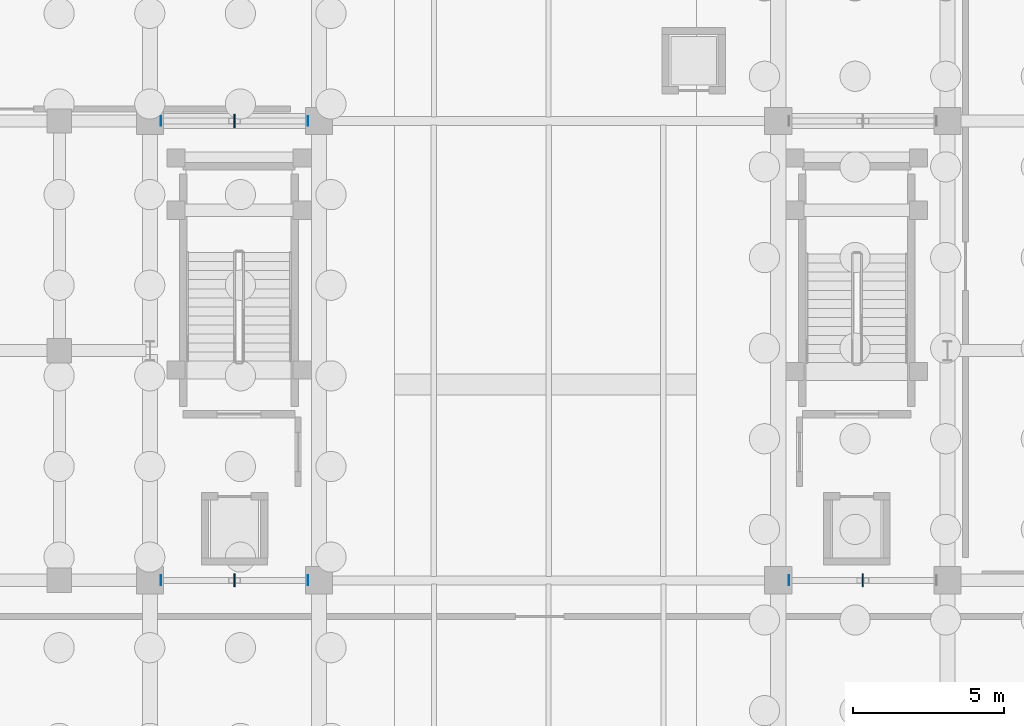
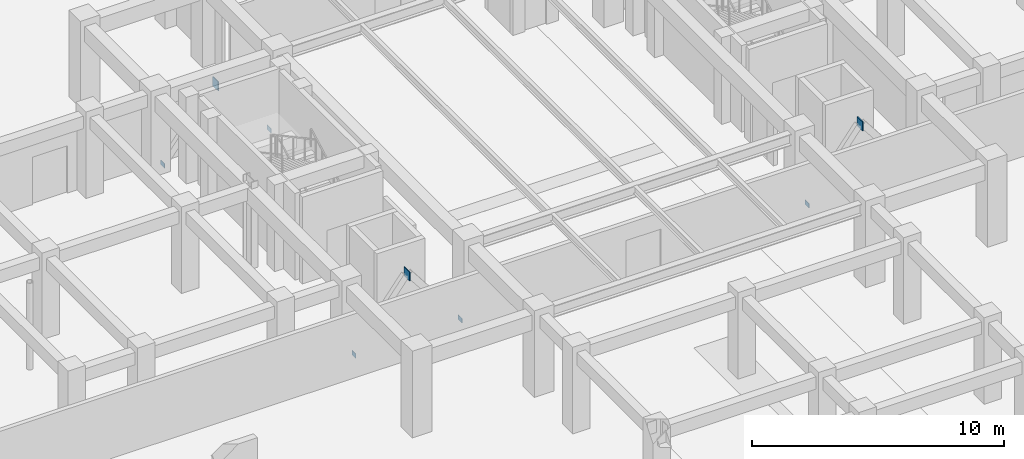
# One storey, part 22 of 33: 8 plates.
"""IFC4 building model written with IfcOpenShell, lengths in metres."""

from ifc_helpers import new_model, si_unit, direction, frame, origin, origin_2d, place, context, subcontext, project, spatial, rectangle, extrude, material, layer, layer_set, type_object, element, save


model = new_model("IFC4")

# Units and contexts
model_context = context("Model", 3, precision=1e-05, world=origin(), true_north=direction((0.0, 1.0)))
body_context = subcontext(model_context, "Body", "Model", "MODEL_VIEW")
ifc_project = project(units=[si_unit("LENGTHUNIT", "METRE"), si_unit("AREAUNIT", "SQUARE_METRE"), si_unit("VOLUMEUNIT", "CUBIC_METRE"), si_unit("PLANEANGLEUNIT", "RADIAN"), si_unit("MASSUNIT", "GRAM", prefix="KILO")], contexts=[model_context])

# Site, building, storey
site_placement = place(None, origin())
site = spatial("IfcSite", under=ifc_project, at=site_placement, CompositionType="ELEMENT")
building_placement = place(site_placement, origin())
building = spatial("IfcBuilding", under=site, at=building_placement, Name="Saryqyr Civic Hall", CompositionType="ELEMENT")
storey_placement = place(building_placement, frame((0.0, 0.0, -4.199951171875)))
storey = spatial("IfcBuildingStorey", under=building, at=storey_placement, Name="B1", CompositionType="ELEMENT", Elevation=-4.199951171875)

# Plates
ifc_material = material(Name="Steel S355", Category="steel")
ifc_layer_1 = layer(ifc_material, 0.01611328125, Name="Steel S355")
ifc_layer_set_1 = layer_set([ifc_layer_1], Name="Steel S355")
plate_type_1 = type_object("IfcPlateType", Name="STR-PLT-CAP16", PredefinedType="USERDEFINED", material=ifc_layer_set_1)
for number, where, z_axis, x_axis, name in (
    (1, (44.159912109375, 76.39990234375, 0.009765625), (0.0, 0.0, 1.0), (1.0, 0.0, 0.0), "Hollow section end cap V1-BRCAP-1A0-B1"),
    (2, (49.0400390625, 76.39990234375, 0.009765625), (0.0, 0.0, 1.0), (1.0, 0.0, 0.0), "Hollow section end cap V1-BRCAP-1B0-B1"),
    (3, (64.9599609375, 76.39990234375, 0.009765625), (0.0, 0.0, 1.0), (1.0, 0.0, 0.0), "Hollow section end cap V1-BRCAP-2A0-B1"),
    (4, (44.159912109375, 91.60009765625, 0.009765625), (0.0, 0.0, 1.0), (1.0, 0.0, 0.0), "Hollow section end cap V1-BRCAP-3A0-B1"),
    (5, (49.0400390625, 91.60009765625, 0.009765625), (0.0, 0.0, 1.0), (1.0, 0.0, 0.0), "Hollow section end cap V1-BRCAP-3B0-B1"),
):
    element("IfcPlate", number, at=place(storey_placement, frame(where, z_axis=z_axis, x_axis=x_axis)), inside=storey, type_object=plate_type_1, Name=name, ObjectType="FLANGE_PLATE", PredefinedType="USERDEFINED", context=body_context, shape_type="SweptSolid", body=[
        extrude(rectangle(XDim=0.01611328125, YDim=0.320068359375, at=origin_2d()), origin(), (0.0, 0.0, 1.0), 0.219970703125),
    ])
ifc_layer_2 = layer(ifc_material, 0.0400390625, Name="Steel S355")
ifc_layer_set_2 = layer_set([ifc_layer_2], Name="Steel S355")
plate_type_2 = type_object("IfcPlateType", Name="STR-PLT-GUS40", PredefinedType="USERDEFINED", material=ifc_layer_set_2)
for number, where, z_axis, x_axis, name in (
    (6, (46.60009765625, 76.39990234375, 2.93994140625), (0.0, 0.0, 1.0), (1.0, 0.0, 0.0), "Hollow section end cap V1-BRGUS-1-B1"),
    (7, (67.39990234375, 76.39990234375, 2.93994140625), (0.0, 0.0, 1.0), (1.0, 0.0, 0.0), "Hollow section end cap V1-BRGUS-2-B1"),
    (8, (46.60009765625, 91.60009765625, 2.93994140625), (0.0, 0.0, 1.0), (1.0, 0.0, 0.0), "Hollow section end cap V1-BRGUS-3-B1"),
):
    element("IfcPlate", number, at=place(storey_placement, frame(where, z_axis=z_axis, x_axis=x_axis)), inside=storey, type_object=plate_type_2, Name=name, ObjectType="FLANGE_PLATE", PredefinedType="USERDEFINED", context=body_context, shape_type="SweptSolid", body=[
        extrude(rectangle(XDim=0.0400390625, YDim=0.43994140625, at=origin_2d()), origin(), (0.0, 0.0, 1.0), 0.43994140625),
    ])

save(model, "model.ifc")
